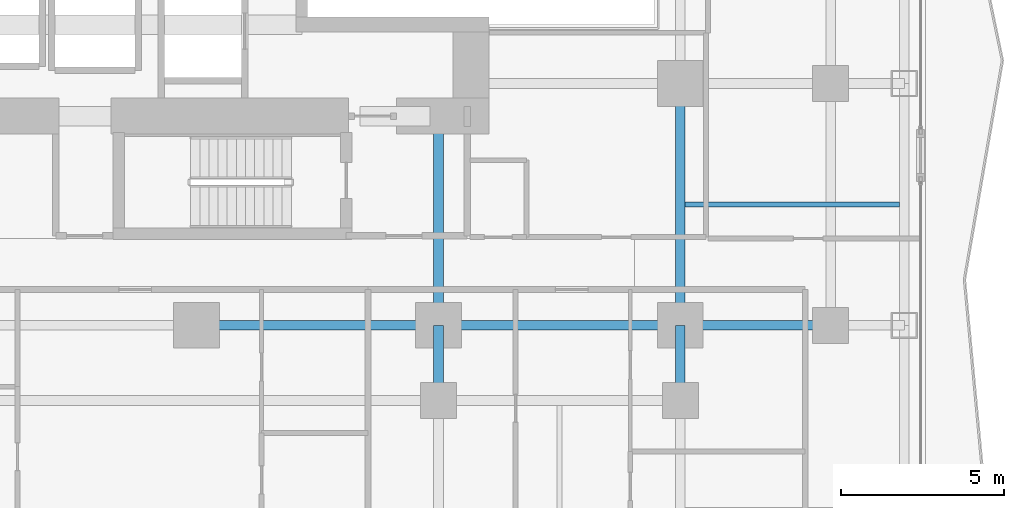
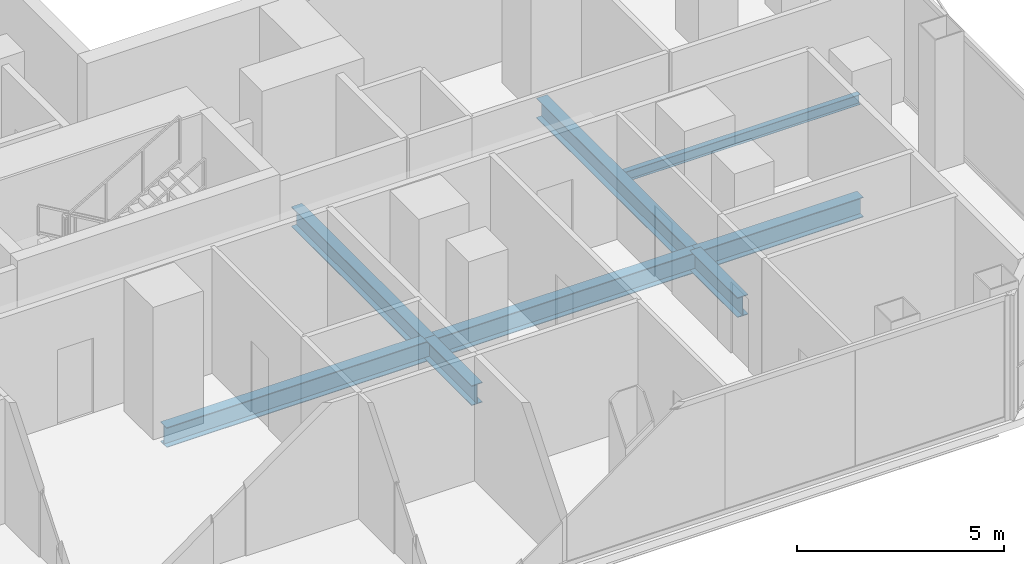
# One storey, part 9 of 29: 8 beams.
"""IFC4 building model written with IfcOpenShell, lengths in metres."""

from ifc_helpers import new_model, si_unit, direction, frame, origin, origin_2d, place, context, subcontext, project, spatial, i_section, extrude, material, material_profile, profile_set, type_object, element, save


model = new_model("IFC4")

# Units and contexts
model_context = context("Model", 3, precision=1e-05, world=origin(), true_north=direction((0.0, 1.0)))
body_context = subcontext(model_context, "Body", "Model", "MODEL_VIEW")
ifc_project = project(units=[si_unit("LENGTHUNIT", "METRE"), si_unit("AREAUNIT", "SQUARE_METRE"), si_unit("VOLUMEUNIT", "CUBIC_METRE"), si_unit("PLANEANGLEUNIT", "RADIAN"), si_unit("MASSUNIT", "GRAM", prefix="KILO")], contexts=[model_context])

# Site, building, storey
site_placement = place(None, origin())
site = spatial("IfcSite", under=ifc_project, at=site_placement, CompositionType="ELEMENT")
building_placement = place(site_placement, origin())
building = spatial("IfcBuilding", under=site, at=building_placement, Name="Khorvyn Point Tower", CompositionType="ELEMENT")
storey_placement = place(building_placement, frame((0.0, 0.0, 61.800048828125)))
storey = spatial("IfcBuildingStorey", under=building, at=storey_placement, Name="L16", CompositionType="ELEMENT", Elevation=61.800048828125)

# Beams
ifc_material = material(Name="Steel S355", Category="steel")
ifc_material_profile_1 = material_profile(ifc_material, i_section(OverallWidth=0.300048828125, OverallDepth=0.587890625, WebThickness=0.011962890625, FlangeThickness=0.02001953125, at=origin_2d()))
ifc_profile_set_1 = profile_set([ifc_material_profile_1], Name="Steel S355 H588x300x12x20")
beam_type_1 = type_object("IfcBeamType", Name="Steel S355 Beam H588x300x12x20", PredefinedType="BEAM", material=ifc_profile_set_1)
beam_1_placement = place(storey_placement, frame((0.0, -14.800048828125, -0.51416015625), z_axis=(1.0, 0.0, 0.0), x_axis=(0.0, 1.0, 0.0)))
element("IfcBeam", 1, at=beam_1_placement, inside=storey, type_object=beam_type_1, Name="Beam", PredefinedType="BEAM", context=body_context, shape_type="SweptSolid", body=[
    extrude(i_section(OverallWidth=0.300048828125, OverallDepth=0.587890625, WebThickness=0.011962890625, FlangeThickness=0.02001953125, at=origin_2d()), origin(), (0.0, 0.0, 1.0), 7.39990234375),
])
beam_2_placement = place(storey_placement, frame((7.39990234375, -14.800048828125, -0.51416015625), z_axis=(1.0, 0.0, 0.0), x_axis=(0.0, 1.0, 0.0)))
element("IfcBeam", 2, at=beam_2_placement, inside=storey, type_object=beam_type_1, Name="Beam", PredefinedType="BEAM", context=body_context, shape_type="SweptSolid", body=[
    extrude(i_section(OverallWidth=0.300048828125, OverallDepth=0.587890625, WebThickness=0.011962890625, FlangeThickness=0.02001953125, at=origin_2d()), origin(), (0.0, 0.0, 1.0), 7.400146484375),
])
beam_3_placement = place(storey_placement, frame((14.800048828125, -14.800048828125, -0.51416015625), z_axis=(1.0, 0.0, 0.0), x_axis=(0.0, 1.0, 0.0)))
element("IfcBeam", 3, at=beam_3_placement, inside=storey, type_object=beam_type_1, Name="Beam", PredefinedType="BEAM", context=body_context, shape_type="SweptSolid", body=[
    extrude(i_section(OverallWidth=0.300048828125, OverallDepth=0.587890625, WebThickness=0.011962890625, FlangeThickness=0.02001953125, at=origin_2d()), origin(), (0.0, 0.0, 1.0), 4.599853515625),
])
beam_4_placement = place(storey_placement, frame((14.800048828125, -17.10009765625, -0.51416015625), z_axis=(0.0, 1.0, 0.0), x_axis=(-1.0, 0.0, 0.0)))
element("IfcBeam", 4, at=beam_4_placement, inside=storey, type_object=beam_type_1, Name="Beam", PredefinedType="BEAM", context=body_context, shape_type="SweptSolid", body=[
    extrude(i_section(OverallWidth=0.300048828125, OverallDepth=0.587890625, WebThickness=0.011962890625, FlangeThickness=0.02001953125, at=origin_2d()), origin(), (0.0, 0.0, 1.0), 2.300048828125),
])
beam_5_placement = place(storey_placement, frame((14.800048828125, -14.800048828125, -0.51416015625), z_axis=(0.0, 1.0, 0.0), x_axis=(-1.0, 0.0, 0.0)))
element("IfcBeam", 5, at=beam_5_placement, inside=storey, type_object=beam_type_1, Name="Beam", PredefinedType="BEAM", context=body_context, shape_type="SweptSolid", body=[
    extrude(i_section(OverallWidth=0.300048828125, OverallDepth=0.587890625, WebThickness=0.011962890625, FlangeThickness=0.02001953125, at=origin_2d()), origin(), (0.0, 0.0, 1.0), 7.400146484375),
])
beam_6_placement = place(storey_placement, frame((7.39990234375, -17.10009765625, -0.51416015625), z_axis=(0.0, 1.0, 0.0), x_axis=(-1.0, 0.0, 0.0)))
element("IfcBeam", 6, at=beam_6_placement, inside=storey, type_object=beam_type_1, Name="Beam", PredefinedType="BEAM", context=body_context, shape_type="SweptSolid", body=[
    extrude(i_section(OverallWidth=0.300048828125, OverallDepth=0.587890625, WebThickness=0.011962890625, FlangeThickness=0.02001953125, at=origin_2d()), origin(), (0.0, 0.0, 1.0), 2.300048828125),
])
beam_7_placement = place(storey_placement, frame((7.39990234375, -14.800048828125, -0.51416015625), z_axis=(0.0, 1.0, 0.0), x_axis=(-1.0, 0.0, 0.0)))
element("IfcBeam", 7, at=beam_7_placement, inside=storey, type_object=beam_type_1, Name="Beam", PredefinedType="BEAM", context=body_context, shape_type="SweptSolid", body=[
    extrude(i_section(OverallWidth=0.300048828125, OverallDepth=0.587890625, WebThickness=0.011962890625, FlangeThickness=0.02001953125, at=origin_2d()), origin(), (0.0, 0.0, 1.0), 6.400146484375),
])
ifc_material_profile_2 = material_profile(ifc_material, i_section(OverallWidth=0.14990234375, OverallDepth=0.300048828125, WebThickness=0.006591796875, FlangeThickness=0.009033203125, at=origin_2d()))
ifc_profile_set_2 = profile_set([ifc_material_profile_2], Name="Steel S355 H300x150x6.5x9")
beam_type_2 = type_object("IfcBeamType", Name="Steel S355 Joist H300x150x6.5x9", PredefinedType="JOIST", material=ifc_profile_set_2)
beam_8_placement = place(storey_placement, frame((14.949951171875, -11.10009765625, -0.3701171875), z_axis=(1.0, 0.0, 0.0), x_axis=(0.0, 1.0, 0.0)))
element("IfcBeam", 8, at=beam_8_placement, inside=storey, type_object=beam_type_2, Name="Beam", PredefinedType="JOIST", context=body_context, shape_type="SweptSolid", body=[
    extrude(i_section(OverallWidth=0.14990234375, OverallDepth=0.300048828125, WebThickness=0.006591796875, FlangeThickness=0.009033203125, at=origin_2d()), origin(), (0.0, 0.0, 1.0), 6.550048828125),
])

save(model, "model.ifc")
